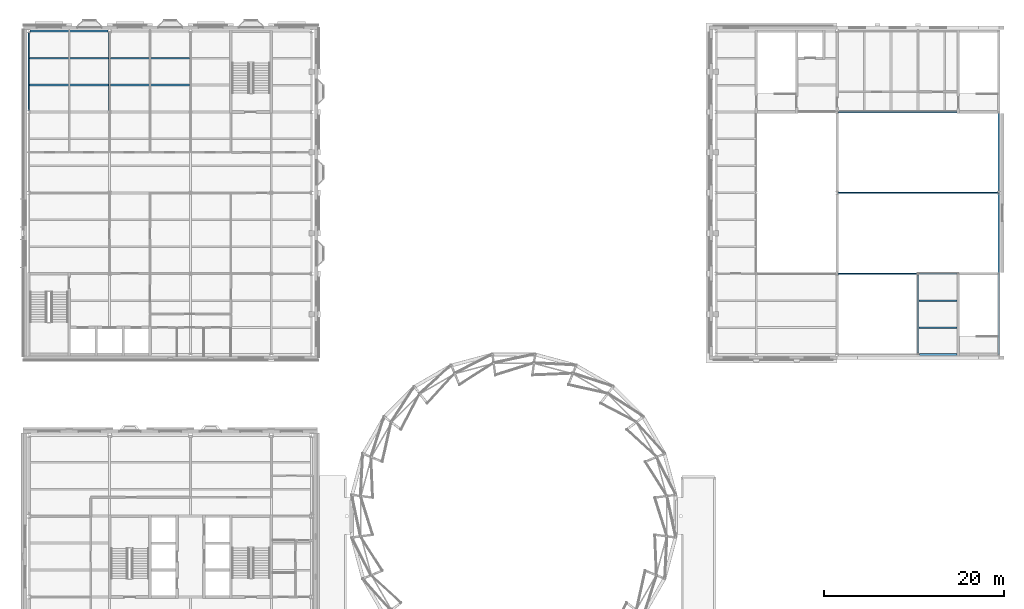
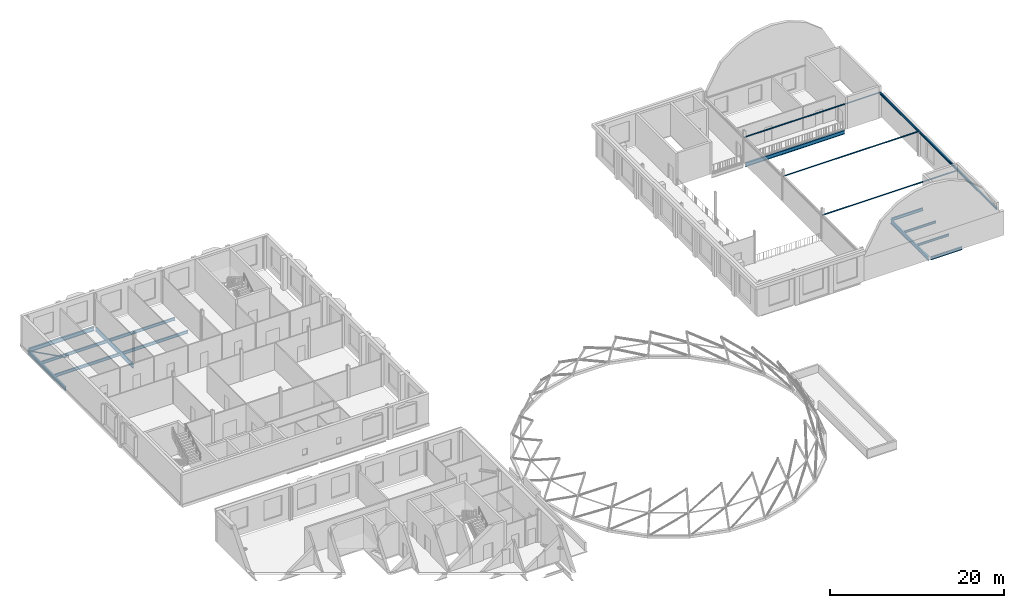
# One storey, part 14 of 59: 16 beams, 4 members.
"""IFC4 building model written with IfcOpenShell, lengths in metres."""

from ifc_helpers import new_model, si_unit, direction, frame, origin, origin_2d, place, context, subcontext, project, spatial, hollow_circle, i_section, extrude, material, material_profile, profile_set, type_object, element, save


model = new_model("IFC4")

# Units and contexts
model_context = context("Model", 3, precision=1e-05, world=origin(), true_north=direction((0.0, 1.0)))
body_context = subcontext(model_context, "Body", "Model", "MODEL_VIEW")
ifc_project = project(units=[si_unit("LENGTHUNIT", "METRE"), si_unit("AREAUNIT", "SQUARE_METRE"), si_unit("VOLUMEUNIT", "CUBIC_METRE"), si_unit("PLANEANGLEUNIT", "RADIAN"), si_unit("MASSUNIT", "GRAM", prefix="KILO")], contexts=[model_context])

# Site, building, storey
site_placement = place(None, origin())
site = spatial("IfcSite", under=ifc_project, at=site_placement, CompositionType="ELEMENT")
building_placement = place(site_placement, origin())
building = spatial("IfcBuilding", under=site, at=building_placement, Name="Hortulan Conservatory and Botanical Research Centre", CompositionType="ELEMENT")
storey_placement = place(building_placement, frame((0.0, 0.0, 10.5)))
storey = spatial("IfcBuildingStorey", under=building, at=storey_placement, Name="L02", CompositionType="ELEMENT", Elevation=10.5)

# Member
ifc_material_1 = material(Name="Steel Grade C350L0 (350 MPa, AS/NZS 1163)", Category="steel")
ifc_material_profile_1 = material_profile(ifc_material_1, hollow_circle(Radius=0.084228515625, WallThickness=0.00634765625, at=origin_2d()), Name="168.3x6.4CHS")
ifc_profile_set_1 = profile_set([ifc_material_profile_1], Name="Steel Grade C350L0 (350 MPa, AS/NZS 1163)")
member_type_1 = type_object("IfcMemberType", Name="Brace 168.3x6.4CHS", PredefinedType="BRACE", material=ifc_profile_set_1)
member_placement = place(storey_placement, frame((0.0, 71.842529296875, -0.315185546875), z_axis=(0.0, -0.894427191, 0.4472135955), x_axis=(1.0, 0.0, 0.0)))
element("IfcMember", 1, at=member_placement, inside=storey, type_object=member_type_1, Name="168.3x6.4CHS brace", PredefinedType="BRACE", context=body_context, shape_type="SweptSolid", body=[
    extrude(hollow_circle(Radius=0.084228515625, WallThickness=0.00634765625, at=origin_2d()), origin(), (0.0, 0.0, 1.0), 9.710205078125),
])

# Beams
ifc_material_2 = material(Name="Steel Grade 300PLUS (AS/NZS 3679.1, 280 MPa minimum yield)", Category="steel")
ifc_material_profile_2 = material_profile(ifc_material_2, i_section(OverallWidth=0.177978515625, OverallDepth=0.403076171875, WebThickness=0.007568359375, FlangeThickness=0.010986328125, FilletRadius=0.011474609375, at=origin_2d()), Name="410UB53.7")
ifc_profile_set_2 = profile_set([ifc_material_profile_2], Name="Steel Grade 300PLUS (AS/NZS 3679.1, 280 MPa minimum yield)")
beam_type_1 = type_object("IfcBeamType", Name="Primary Beam 410UB53.7", PredefinedType="BEAM", material=ifc_profile_set_2)
for number, where, z_axis, x_axis, name in (
    (2, (99.154541015625, 36.0, -0.33154296875), (1.0, 0.0, 0.0), (0.0, 1.0, 0.0), "410UB53.7 girder"),
    (3, (99.154541015625, 45.0, -0.33154296875), (1.0, 0.0, 0.0), (0.0, 1.0, 0.0), "410UB53.7 girder"),
):
    element("IfcBeam", number, at=place(storey_placement, frame(where, z_axis=z_axis, x_axis=x_axis)), inside=storey, type_object=beam_type_1, Name=name, PredefinedType="BEAM", context=body_context, shape_type="SweptSolid", body=[
        extrude(i_section(OverallWidth=0.177978515625, OverallDepth=0.403076171875, WebThickness=0.007568359375, FlangeThickness=0.010986328125, FilletRadius=0.011474609375, at=origin_2d()), origin(), (0.0, 0.0, 1.0), 4.195556640625),
    ])
ifc_material_profile_3 = material_profile(ifc_material_2, i_section(OverallWidth=0.208984375, OverallDepth=0.528076171875, WebThickness=0.009521484375, FlangeThickness=0.01318359375, FilletRadius=0.013916015625, at=origin_2d()), Name="530UB82.0")
ifc_profile_set_3 = profile_set([ifc_material_profile_3], Name="Steel Grade 300PLUS (AS/NZS 3679.1, 280 MPa minimum yield)")
beam_type_2 = type_object("IfcBeamType", Name="Primary Beam 530UB82.0", PredefinedType="BEAM", material=ifc_profile_set_3)
beam_1_placement = place(storey_placement, frame((0.0, 63.160400390625, -0.39404296875), z_axis=(0.0, 1.0, 0.0), x_axis=(-1.0, 0.0, 0.0)))
element("IfcBeam", 4, at=beam_1_placement, inside=storey, type_object=beam_type_2, Name="530UB82.0 girder", PredefinedType="BEAM", context=body_context, shape_type="SweptSolid", body=[
    extrude(i_section(OverallWidth=0.208984375, OverallDepth=0.528076171875, WebThickness=0.009521484375, FlangeThickness=0.01318359375, FilletRadius=0.013916015625, at=origin_2d()), origin(), (0.0, 0.0, 1.0), 8.67919921875),
])
beam_2_placement = place(storey_placement, frame((0.154541015625, 72.0, -0.39404296875), z_axis=(1.0, 0.0, 0.0), x_axis=(0.0, 1.0, 0.0)))
element("IfcBeam", 5, at=beam_2_placement, inside=storey, type_object=beam_type_2, Name="530UB82.0 girder", PredefinedType="BEAM", context=body_context, shape_type="SweptSolid", body=[
    extrude(i_section(OverallWidth=0.208984375, OverallDepth=0.528076171875, WebThickness=0.009521484375, FlangeThickness=0.01318359375, FilletRadius=0.013916015625, at=origin_2d()), origin(), (0.0, 0.0, 1.0), 8.68505859375),
])
beam_3_placement = place(storey_placement, frame((90.154541015625, 63.0, -0.39404296875), z_axis=(1.0, 0.0, 0.0), x_axis=(0.0, 1.0, 0.0)))
element("IfcBeam", 6, at=beam_3_placement, inside=storey, type_object=beam_type_2, Name="530UB82.0 girder", PredefinedType="BEAM", context=body_context, shape_type="SweptSolid", body=[
    extrude(i_section(OverallWidth=0.208984375, OverallDepth=0.528076171875, WebThickness=0.009521484375, FlangeThickness=0.01318359375, FilletRadius=0.013916015625, at=origin_2d()), origin(), (0.0, 0.0, 1.0), 13.195556640625),
])
ifc_material_profile_4 = material_profile(ifc_material_2, i_section(OverallWidth=0.208984375, OverallDepth=0.532958984375, WebThickness=0.01025390625, FlangeThickness=0.015625, FilletRadius=0.013916015625, at=origin_2d()), Name="530UB92.4")
ifc_profile_set_4 = profile_set([ifc_material_profile_4], Name="Steel Grade 300PLUS (AS/NZS 3679.1, 280 MPa minimum yield)")
beam_type_3 = type_object("IfcBeamType", Name="Primary Beam 530UB92.4", PredefinedType="BEAM", material=ifc_profile_set_4)
beam_4_placement = place(storey_placement, frame((9.0, 63.160400390625, -0.396484375), z_axis=(0.0, 1.0, 0.0), x_axis=(-1.0, 0.0, 0.0)))
element("IfcBeam", 7, at=beam_4_placement, inside=storey, type_object=beam_type_3, Name="530UB92.4 girder", PredefinedType="BEAM", context=body_context, shape_type="SweptSolid", body=[
    extrude(i_section(OverallWidth=0.208984375, OverallDepth=0.532958984375, WebThickness=0.01025390625, FlangeThickness=0.015625, FilletRadius=0.013916015625, at=origin_2d()), origin(), (0.0, 0.0, 1.0), 8.68505859375),
])
beam_5_placement = place(storey_placement, frame((99.0, 36.160400390625, -0.396484375), z_axis=(0.0, 1.0, 0.0), x_axis=(-1.0, 0.0, 0.0)))
element("IfcBeam", 8, at=beam_5_placement, inside=storey, type_object=beam_type_3, Name="530UB92.4 girder", PredefinedType="BEAM", context=body_context, shape_type="SweptSolid", body=[
    extrude(i_section(OverallWidth=0.208984375, OverallDepth=0.532958984375, WebThickness=0.01025390625, FlangeThickness=0.015625, FilletRadius=0.013916015625, at=origin_2d()), origin(), (0.0, 0.0, 1.0), 8.67919921875),
])
ifc_material_profile_5 = material_profile(ifc_material_2, i_section(OverallWidth=0.1650390625, OverallDepth=0.303955078125, WebThickness=0.006103515625, FlangeThickness=0.01025390625, FilletRadius=0.011474609375, at=origin_2d()), Name="310UB40.4")
ifc_profile_set_5 = profile_set([ifc_material_profile_5], Name="Steel Grade 300PLUS (AS/NZS 3679.1, 280 MPa minimum yield)")
beam_type_4 = type_object("IfcBeamType", Name="Secondary Beam 310UB40.4", PredefinedType="JOIST", material=ifc_profile_set_5)
for number, where, z_axis, x_axis, name in (
    (9, (99.1044921875, 39.0, -0.281982421875), (1.0, 0.0, 0.0), (0.0, 1.0, 0.0), "310UB40.4 secondary beam"),
    (10, (99.1044921875, 42.0, -0.281982421875), (1.0, 0.0, 0.0), (0.0, 1.0, 0.0), "310UB40.4 secondary beam"),
):
    element("IfcBeam", number, at=place(storey_placement, frame(where, z_axis=z_axis, x_axis=x_axis)), inside=storey, type_object=beam_type_4, Name=name, PredefinedType="JOIST", context=body_context, shape_type="SweptSolid", body=[
        extrude(i_section(OverallWidth=0.1650390625, OverallDepth=0.303955078125, WebThickness=0.006103515625, FlangeThickness=0.01025390625, FilletRadius=0.011474609375, at=origin_2d()), origin(), (0.0, 0.0, 1.0), 4.24560546875),
    ])
ifc_material_profile_6 = material_profile(ifc_material_2, i_section(OverallWidth=0.177978515625, OverallDepth=0.406005859375, WebThickness=0.0078125, FlangeThickness=0.0126953125, FilletRadius=0.011474609375, at=origin_2d()), Name="410UB59.7")
ifc_profile_set_6 = profile_set([ifc_material_profile_6], Name="Steel Grade 300PLUS (AS/NZS 3679.1, 280 MPa minimum yield)")
beam_type_5 = type_object("IfcBeamType", Name="Secondary Beam 410UB59.7", PredefinedType="JOIST", material=ifc_profile_set_6)
for number, where, z_axis, x_axis, name in (
    (11, (0.1044921875, 66.0, -0.3330078125), (1.0, 0.0, 0.0), (0.0, 1.0, 0.0), "410UB59.7 secondary beam"),
    (12, (0.1044921875, 69.0, -0.3330078125), (1.0, 0.0, 0.0), (0.0, 1.0, 0.0), "410UB59.7 secondary beam"),
    (13, (9.1044921875, 66.0, -0.3330078125), (1.0, 0.0, 0.0), (0.0, 1.0, 0.0), "410UB59.7 secondary beam"),
    (14, (9.1044921875, 69.0, -0.3330078125), (1.0, 0.0, 0.0), (0.0, 1.0, 0.0), "410UB59.7 secondary beam"),
):
    element("IfcBeam", number, at=place(storey_placement, frame(where, z_axis=z_axis, x_axis=x_axis)), inside=storey, type_object=beam_type_5, Name=name, PredefinedType="JOIST", context=body_context, shape_type="SweptSolid", body=[
        extrude(i_section(OverallWidth=0.177978515625, OverallDepth=0.406005859375, WebThickness=0.0078125, FlangeThickness=0.0126953125, FilletRadius=0.011474609375, at=origin_2d()), origin(), (0.0, 0.0, 1.0), 8.791015625),
    ])
ifc_material_profile_7 = material_profile(ifc_material_2, i_section(OverallWidth=0.166015625, OverallDepth=0.306884765625, WebThickness=0.006591796875, FlangeThickness=0.01171875, FilletRadius=0.011474609375, at=origin_2d()), Name="310UB46.2")
ifc_profile_set_7 = profile_set([ifc_material_profile_7], Name="Steel Grade 300PLUS (AS/NZS 3679.1, 280 MPa minimum yield)")
beam_type_6 = type_object("IfcBeamType", Name="Vault Eaves Beam 310UB46.2", PredefinedType="BEAM", material=ifc_profile_set_7)
for number, where, z_axis, x_axis, name in (
    (15, (108.0, 36.0, 3.5), (0.0, 1.0, 0.0), (-1.0, 0.0, 0.0), "Vault eaves beam E bay 1"),
    (16, (108.0, 45.0, 3.5), (0.0, 1.0, 0.0), (-1.0, 0.0, 0.0), "Vault eaves beam E bay 2"),
    (17, (108.0, 54.0, 3.5), (0.0, 1.0, 0.0), (-1.0, 0.0, 0.0), "Vault eaves beam E bay 3"),
):
    element("IfcBeam", number, at=place(storey_placement, frame(where, z_axis=z_axis, x_axis=x_axis)), inside=storey, type_object=beam_type_6, Name=name, PredefinedType="BEAM", context=body_context, shape_type="SweptSolid", body=[
        extrude(i_section(OverallWidth=0.166015625, OverallDepth=0.306884765625, WebThickness=0.006591796875, FlangeThickness=0.01171875, FilletRadius=0.011474609375, at=origin_2d()), origin(), (0.0, 0.0, 1.0), 9.0),
    ])

# Members
ifc_material_profile_8 = material_profile(ifc_material_1, hollow_circle(Radius=0.05712890625, WallThickness=0.00537109375, at=origin_2d()), Name="114.3x5.4CHS")
ifc_profile_set_8 = profile_set([ifc_material_profile_8], Name="Steel Grade C350L0 (350 MPa, AS/NZS 1163)")
member_type_2 = type_object("IfcMemberType", Name="Vault Tie 114.3x5.4 CHS", PredefinedType="STRUT", material=ifc_profile_set_8)
for number, where, z_axis, x_axis, name in (
    (18, (90.0, 45.0, 3.5), (1.0, 0.0, 0.0), (0.0, 1.0, 0.0), "Vault tie 2"),
    (19, (90.0, 54.0, 3.5), (1.0, 0.0, 0.0), (0.0, 1.0, 0.0), "Vault tie 3"),
    (20, (90.0, 63.0, 3.5), (1.0, 0.0, 0.0), (0.0, 1.0, 0.0), "Vault tie 4"),
):
    element("IfcMember", number, at=place(storey_placement, frame(where, z_axis=z_axis, x_axis=x_axis)), inside=storey, type_object=member_type_2, Name=name, PredefinedType="STRUT", context=body_context, shape_type="SweptSolid", body=[
        extrude(hollow_circle(Radius=0.05712890625, WallThickness=0.00537109375, at=origin_2d()), origin(), (0.0, 0.0, 1.0), 18.0),
    ])

save(model, "model.ifc")
